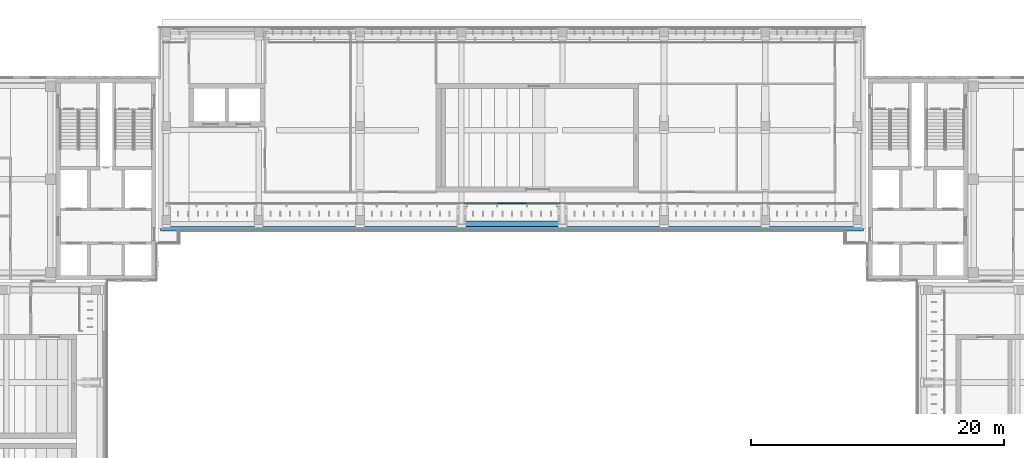
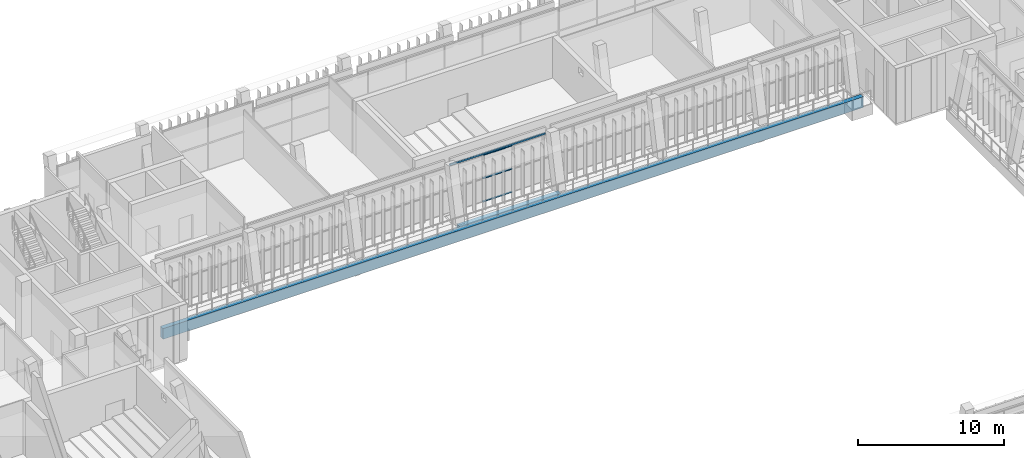
# One storey, part 25 of 74: 3 beams, 3 members, 1 element without a shape of its own.
"""IFC4 building model written with IfcOpenShell, lengths in metres."""

import ifcopenshell
import ifcopenshell.guid

model = None  # the IFC model being written
_history = None  # IfcOwnerHistory: only IFC2X3 demands one
_inside = {}  # id of a spatial element -> (the spatial element, [elements in it])
_under = {}  # id of a project, library or spatial element -> (it, [spatial elements below it])
_declared = {}  # id of a project -> (the project, [libraries it declares])
_typed = {}  # id of a type object -> (the type object, [elements of that type])
_made_of = {}  # id of a material, layer set ... -> (it, [elements and type objects made of it])


def new_model(schema):
    """Start an empty IFC model of exactly this schema.

    Asked for "IFC4X3", IfcOpenShell would pick the latest addendum, in which some entities
    have other attributes; the version numbers below select the first issue.
    IFC2X3 requires an IfcOwnerHistory on every rooted entity: one is made here for all.
    """
    global model, _history
    if schema == "IFC4X3":
        model = ifcopenshell.file(schema_version=(4, 3, 0, 0))
    else:
        model = ifcopenshell.file(schema=schema)
    _inside.clear()
    _under.clear()
    _declared.clear()
    _typed.clear()
    _made_of.clear()
    _history = None
    if model.schema == "IFC2X3":
        org = make("IfcOrganization", Name="unknown")
        user = make(
            "IfcPersonAndOrganization",
            ThePerson=make("IfcPerson", FamilyName="unknown"),
            TheOrganization=org,
        )
        app = make(
            "IfcApplication",
            ApplicationDeveloper=org,
            Version="unknown",
            ApplicationFullName="unknown",
            ApplicationIdentifier="unknown",
        )
        _history = make(
            "IfcOwnerHistory",
            OwningUser=user,
            OwningApplication=app,
            ChangeAction="ADDED",
            CreationDate=0,
        )
    return model


def make(cls, **values):
    """One entity of the class cls with the attributes given. An attribute that is None is left unset."""
    return model.create_entity(
        cls, **{name: value for name, value in values.items() if value is not None}
    )


def rooted(cls, **values):
    """An entity with a GlobalId (a new one), such as an element, a storey or a relation."""
    return make(cls, GlobalId=ifcopenshell.guid.new(), OwnerHistory=_history, **values)


def si_unit(unit_type, name, prefix=None):
    """IfcSIUnit, for example si_unit("LENGTHUNIT", "METRE", prefix="MILLI")."""
    return make("IfcSIUnit", UnitType=unit_type, Prefix=prefix, Name=name)


def assignment(units):
    """IfcUnitAssignment: the units of a project."""
    return None if units is None else make("IfcUnitAssignment", Units=units)


def point(xyz):
    """IfcCartesianPoint."""
    return None if xyz is None else make("IfcCartesianPoint", Coordinates=xyz)


def direction(xyz):
    """IfcDirection."""
    return None if xyz is None else make("IfcDirection", DirectionRatios=xyz)


def frame(location, z_axis=None, x_axis=None):
    """IfcAxis2Placement3D, a coordinate frame: its origin and axes. An axis left out is left unset."""
    return make(
        "IfcAxis2Placement3D",
        Location=point(location),
        Axis=direction(z_axis),
        RefDirection=direction(x_axis),
    )


def frame_2d(location, x_axis=None):
    """IfcAxis2Placement2D, a coordinate frame in the plane: its origin and x axis."""
    return make(
        "IfcAxis2Placement2D", Location=point(location), RefDirection=direction(x_axis)
    )


def origin():
    """The frame at (0, 0, 0) with its axes left unset."""
    return frame((0.0, 0.0, 0.0))


def origin_2d():
    """The frame at (0, 0) in the plane with its x axis left unset."""
    return frame_2d((0.0, 0.0))


def place(relative_to, where):
    """IfcLocalPlacement: puts the frame where relative to a parent placement (None: the world)."""
    return make(
        "IfcLocalPlacement", PlacementRelTo=relative_to, RelativePlacement=where
    )


def context(
    kind, dimensions, precision=None, world=None, true_north=None, identifier=None
):
    """IfcGeometricRepresentationContext, for example the 3D "Model" context."""
    return make(
        "IfcGeometricRepresentationContext",
        ContextIdentifier=identifier,
        ContextType=kind,
        CoordinateSpaceDimension=dimensions,
        Precision=precision,
        WorldCoordinateSystem=world,
        TrueNorth=true_north,
    )


def subcontext(parent, identifier, kind, view, scale=None):
    """IfcGeometricRepresentationSubContext, for example "Body" below "Model"."""
    return make(
        "IfcGeometricRepresentationSubContext",
        ContextIdentifier=identifier,
        ContextType=kind,
        ParentContext=parent,
        TargetScale=scale,
        TargetView=view,
    )


def project(units=None, contexts=None):
    """IfcProject with its units and contexts."""
    return rooted(
        "IfcProject",
        Name="project",
        RepresentationContexts=contexts,
        UnitsInContext=assignment(units),
    )


def spatial(cls, under=None, at=None, **own):
    """A site, building, storey or space (cls), placed at a placement, below another one or the project."""
    s = rooted(cls, ObjectPlacement=at, **own)
    if under is not None:
        _under.setdefault(under.id(), (under, []))[1].append(s)
    return s


def profile(cls, at=None, kind="AREA", **sizes):
    """A parametric profile (cls). Its sizes go by their IFC names, for example OverallWidth=200.0."""
    return make(cls, ProfileType=kind, Position=at, **sizes)


def rectangle(**sizes):
    """IfcRectangleProfileDef."""
    return profile("IfcRectangleProfileDef", **sizes)


def hollow_rectangle(**sizes):
    """IfcRectangleHollowProfileDef."""
    return profile("IfcRectangleHollowProfileDef", **sizes)


def extrude(swept, where, along, depth):
    """IfcExtrudedAreaSolid: the profile swept, set in the frame where, extruded along a direction by depth."""
    return make(
        "IfcExtrudedAreaSolid",
        SweptArea=swept,
        Position=where,
        ExtrudedDirection=direction(along),
        Depth=depth,
    )


def shape(context_of_items, identifier, shape_type, items):
    """IfcShapeRepresentation: the items that make up one representation, for example the "Body"."""
    return make(
        "IfcShapeRepresentation",
        ContextOfItems=context_of_items,
        RepresentationIdentifier=identifier,
        RepresentationType=shape_type,
        Items=items,
    )


def material(Name=None, Category=None):
    """IfcMaterial."""
    return make("IfcMaterial", Name=Name, Category=Category)


def material_profile(
    of_material, cross_section, Name=None, Category=None, Priority=None
):
    """IfcMaterialProfile: a cross section and its material."""
    return make(
        "IfcMaterialProfile",
        Name=Name,
        Material=of_material,
        Profile=cross_section,
        Priority=Priority,
        Category=Category,
    )


def profile_set(profiles, Name=None, composite=None):
    """IfcMaterialProfileSet."""
    return make(
        "IfcMaterialProfileSet",
        Name=Name,
        MaterialProfiles=profiles,
        CompositeProfile=composite,
    )


def made_of(thing, what):
    """Note that an element or type object is made of a material, layer set ...; save() writes the relation."""
    if what is not None:
        _made_of.setdefault(what.id(), (what, []))[1].append(thing)
    return thing


def type_object(cls, material=None, **own):
    """A type object (cls), such as IfcWallType, which elements share."""
    return made_of(rooted(cls, **own), material)


def element(
    cls,
    number,
    at=None,
    inside=None,
    cuts=None,
    type_object=None,
    material=None,
    context=None,
    identifier="Body",
    shape_type=None,
    held_by="IfcProductDefinitionShape",
    body=None,
    shapes=None,
    **own,
):
    """One element of the class cls, such as IfcWall. Its Tag is "e" and its number.

    at: its placement. inside: the storey or other place that contains it. cuts: it is an
    opening in that element (IfcRelVoidsElement). A single representation is given by context,
    identifier, shape_type and body (its items); several are given by shapes. held_by: the class
    of the entity that holds the representations. save() writes the other relations.
    """
    e = rooted(cls, Tag="e%d" % number, ObjectPlacement=at, **own)
    if body is not None:
        shapes = [shape(context, identifier, shape_type, body)]
    if shapes is not None:
        e.Representation = make(held_by, Representations=shapes)
    if inside is not None:
        _inside.setdefault(inside.id(), (inside, []))[1].append(e)
    if cuts is not None:
        rooted(
            "IfcRelVoidsElement", RelatingBuildingElement=cuts, RelatedOpeningElement=e
        )
    if type_object is not None:
        _typed.setdefault(type_object.id(), (type_object, []))[1].append(e)
    return made_of(e, material)


def aggregate(whole, parts):
    """IfcRelAggregates: a whole, such as a stair, and the parts it consists of."""
    return rooted("IfcRelAggregates", RelatingObject=whole, RelatedObjects=parts)


def save(model, path):
    """Write the relations noted so far, then the file.

    IfcRelAggregates (storeys below a building ...), IfcRelContainedInSpatialStructure (elements
    in a storey), IfcRelDefinesByType, IfcRelAssociatesMaterial and IfcRelDeclares: one each for
    every whole, place, type object, material and project.
    """
    for whole, parts in _under.values():
        aggregate(whole, parts)
    for where, things in _inside.values():
        rooted(
            "IfcRelContainedInSpatialStructure",
            RelatedElements=things,
            RelatingStructure=where,
        )
    for kind, things in _typed.values():
        rooted("IfcRelDefinesByType", RelatedObjects=things, RelatingType=kind)
    for what, things in _made_of.values():
        rooted("IfcRelAssociatesMaterial", RelatedObjects=things, RelatingMaterial=what)
    for by, libraries in _declared.values():
        rooted("IfcRelDeclares", RelatingContext=by, RelatedDefinitions=libraries)
    model.write(path)


model = new_model("IFC4")

# Units and contexts
model_context = context("Model", 3, precision=1e-05, world=origin(), true_north=direction((0.0, 1.0)))
body_context = subcontext(model_context, "Body", "Model", "MODEL_VIEW")
ifc_project = project(units=[si_unit("LENGTHUNIT", "METRE"), si_unit("AREAUNIT", "SQUARE_METRE"), si_unit("VOLUMEUNIT", "CUBIC_METRE"), si_unit("PLANEANGLEUNIT", "RADIAN"), si_unit("MASSUNIT", "GRAM", prefix="KILO")], contexts=[model_context])

# Site, building, storey
site_placement = place(None, origin())
site = spatial("IfcSite", under=ifc_project, at=site_placement, CompositionType="ELEMENT")
building_placement = place(site_placement, origin())
building = spatial("IfcBuilding", under=site, at=building_placement, Name="Lantern Court Media Centre", CompositionType="ELEMENT")
storey_placement = place(building_placement, frame((0.0, 0.0, 19.199951171875)))
storey = spatial("IfcBuildingStorey", under=building, at=storey_placement, Name="L04", CompositionType="ELEMENT", Elevation=19.199951171875)

# Curtain wall, members
ifc_material_1 = material(Name="Curtain wall bay 2400")
curtain_wall_type = type_object("IfcCurtainWallType", Name="Curtain wall bay 2400", PredefinedType="NOTDEFINED", material=ifc_material_1)
curtain_wall_placement = place(storey_placement, origin())
curtain_wall = element("IfcCurtainWall", 1, at=curtain_wall_placement, inside=storey, type_object=curtain_wall_type, Name="Curtain wall N inner L04", PredefinedType="NOTDEFINED")
ifc_material_2 = material(Name="Anodised aluminium", Category="aluminium")
ifc_material_profile_1 = material_profile(ifc_material_2, rectangle(XDim=0.10009765625, YDim=0.050048828125, at=origin_2d()), Name="AL 50x100")
ifc_profile_set_1 = profile_set([ifc_material_profile_1], Name="Anodised aluminium")
member_type = type_object("IfcMemberType", Name="Curtain wall transom 100x50", PredefinedType="USERDEFINED", material=ifc_profile_set_1)
member_1_placement = place(storey_placement, frame((50.838134765625, 102.14990234375, 0.025146484375), z_axis=(1.0, 0.0, 0.0), x_axis=(0.0, 1.0, 0.0)))
member_1 = element("IfcMember", 2, at=member_1_placement, type_object=member_type, Name="CW2 transom 12.1", ObjectType="TRANSOM", PredefinedType="USERDEFINED", context=body_context, shape_type="SweptSolid", body=[
    extrude(rectangle(XDim=0.10009765625, YDim=0.050048828125, at=origin_2d()), origin(), (0.0, 0.0, 1.0), 2.32373046875),
])
member_2_placement = place(storey_placement, frame((50.838134765625, 102.14990234375, 1.97509765625), z_axis=(1.0, 0.0, 0.0), x_axis=(0.0, 1.0, 0.0)))
member_2 = element("IfcMember", 3, at=member_2_placement, type_object=member_type, Name="CW2 transom 12.2", ObjectType="TRANSOM", PredefinedType="USERDEFINED", context=body_context, shape_type="SweptSolid", body=[
    extrude(rectangle(XDim=0.10009765625, YDim=0.050048828125, at=origin_2d()), origin(), (0.0, 0.0, 1.0), 2.32373046875),
])
member_3_placement = place(storey_placement, frame((50.838134765625, 102.14990234375, 3.925048828125), z_axis=(1.0, 0.0, 0.0), x_axis=(0.0, 1.0, 0.0)))
member_3 = element("IfcMember", 4, at=member_3_placement, type_object=member_type, Name="CW2 transom 12.3", ObjectType="TRANSOM", PredefinedType="USERDEFINED", context=body_context, shape_type="SweptSolid", body=[
    extrude(rectangle(XDim=0.10009765625, YDim=0.050048828125, at=origin_2d()), origin(), (0.0, 0.0, 1.0), 2.32373046875),
])
aggregate(curtain_wall, [member_1, member_2, member_3])

# Beams
ifc_material_3 = material(Name="Steel S355J2 (EN 10025-2)", Category="steel")
ifc_material_profile_2 = material_profile(ifc_material_3, hollow_rectangle(XDim=0.10009765625, YDim=0.14990234375, WallThickness=0.00634765625, InnerFilletRadius=0.00634765625, OuterFilletRadius=0.009521484375, at=origin_2d()), Name="Facade head lintel RHS 150x100x6.3")
ifc_profile_set_2 = profile_set([ifc_material_profile_2], Name="Steel S355J2 (EN 10025-2)")
beam_type_1 = type_object("IfcBeamType", Name="Facade head lintel RHS 150x100x6.3", PredefinedType="BEAM", material=ifc_profile_set_2)
beam_1_placement = place(storey_placement, frame((48.199951171875, 102.14990234375, 4.025146484375), z_axis=(1.0, 0.0, 0.0), x_axis=(0.0, 1.0, 0.0)))
element("IfcBeam", 5, at=beam_1_placement, inside=storey, type_object=beam_type_1, Name="Facade head lintel N L04", PredefinedType="BEAM", context=body_context, shape_type="SweptSolid", body=[
    extrude(hollow_rectangle(XDim=0.10009765625, YDim=0.14990234375, WallThickness=0.00634765625, InnerFilletRadius=0.00634765625, OuterFilletRadius=0.009521484375, at=origin_2d()), origin(), (0.0, 0.0, 1.0), 7.60009765625),
])
ifc_material_4 = material(Name="Concrete C35", Category="concrete")
ifc_material_profile_3 = material_profile(ifc_material_4, rectangle(XDim=0.35009765625, YDim=0.89990234375, at=origin_2d()), Name="RC 350x900")
ifc_profile_set_3 = profile_set([ifc_material_profile_3], Name="Concrete C35")
beam_type_2 = type_object("IfcBeamType", Name="RC BEAM 350x900", PredefinedType="BEAM", material=ifc_profile_set_3)
beam_2_placement = place(storey_placement, frame((24.25, 100.14990234375, -0.449951171875), z_axis=(1.0, 0.0, 0.0), x_axis=(0.0, 1.0, 0.0)))
element("IfcBeam", 6, at=beam_2_placement, inside=storey, type_object=beam_type_2, Name="EB-N-L04-A", PredefinedType="BEAM", context=body_context, shape_type="SweptSolid", body=[
    extrude(rectangle(XDim=0.35009765625, YDim=0.89990234375, at=origin_2d()), origin(), (0.0, 0.0, 1.0), 55.5),
])
ifc_material_profile_4 = material_profile(ifc_material_4, rectangle(XDim=0.449951171875, YDim=0.699951171875, at=origin_2d()), Name="RC 450x700")
ifc_profile_set_4 = profile_set([ifc_material_profile_4], Name="Concrete C35")
beam_type_3 = type_object("IfcBeamType", Name="RC BEAM 450x700", PredefinedType="BEAM", material=ifc_profile_set_4)
beam_3_placement = place(storey_placement, frame((48.0, 100.527099609375, -0.349853515625), z_axis=(1.0, 0.0, 0.0), x_axis=(0.0, 1.0, 0.0)))
element("IfcBeam", 7, at=beam_3_placement, inside=storey, type_object=beam_type_3, Name="LB-N-L04-0-3", PredefinedType="BEAM", context=body_context, shape_type="SweptSolid", body=[
    extrude(rectangle(XDim=0.449951171875, YDim=0.699951171875, at=origin_2d()), origin(), (0.0, 0.0, 1.0), 8.0),
])

save(model, "model.ifc")
